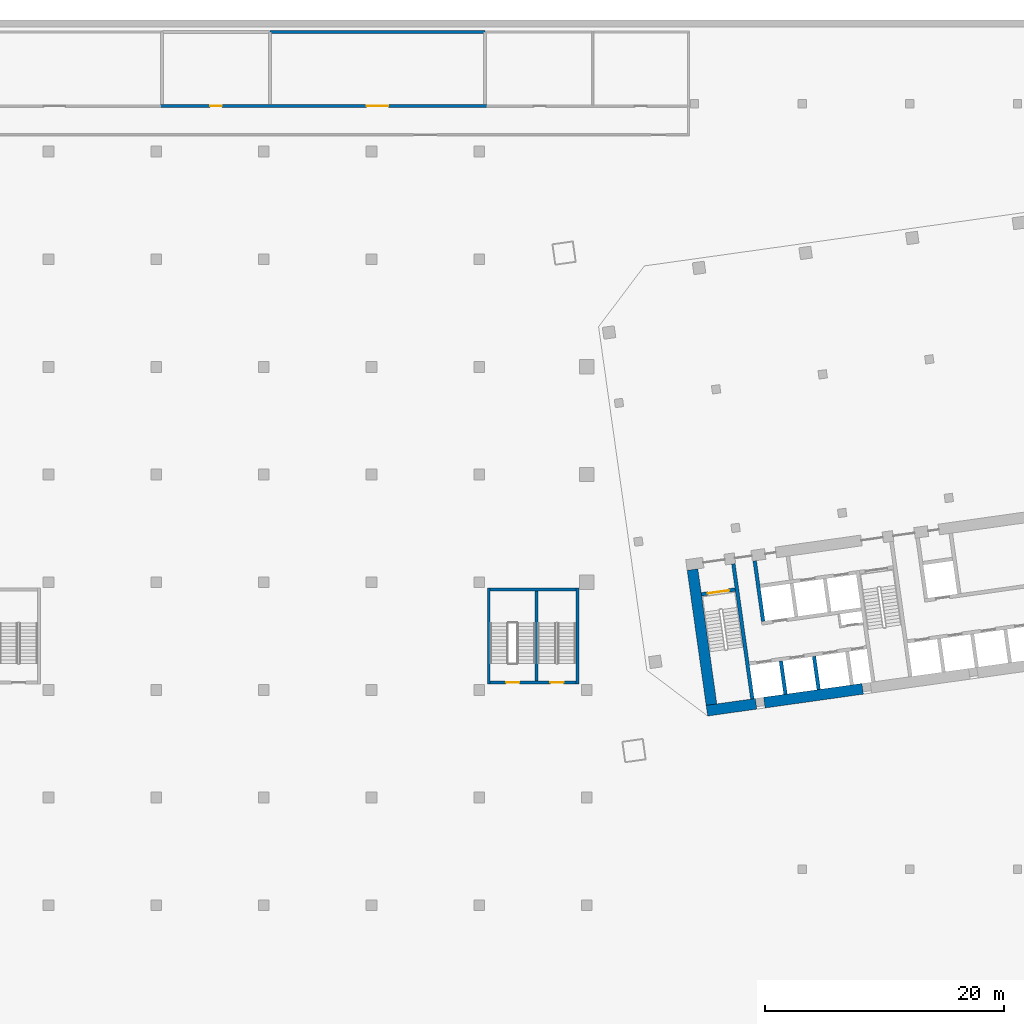
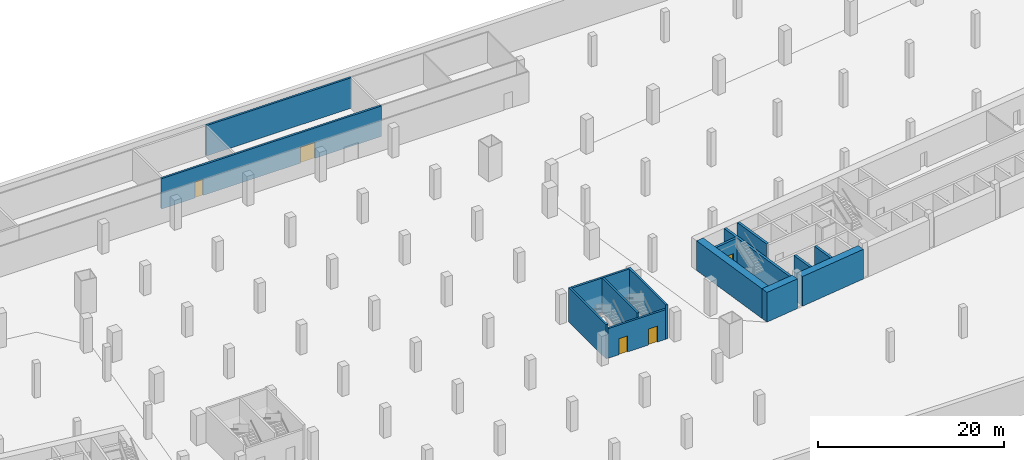
# One storey, part 8 of 17: 15 walls, 5 doors, 5 openings.
"""IFC4 building model written with IfcOpenShell, lengths in metres."""

from ifc_helpers import new_model, si_unit, direction, frame, frame_2d, origin, place, context, subcontext, project, spatial, rectangle, extrude, material, layer, layer_set, type_object, element, fill, save


model = new_model("IFC4")

# Units and contexts
model_context = context("Model", 3, precision=1e-05, world=origin(), true_north=direction((0.0, 1.0)))
body_context = subcontext(model_context, "Body", "Model", "MODEL_VIEW")
ifc_project = project(units=[si_unit("LENGTHUNIT", "METRE"), si_unit("AREAUNIT", "SQUARE_METRE"), si_unit("VOLUMEUNIT", "CUBIC_METRE"), si_unit("PLANEANGLEUNIT", "RADIAN"), si_unit("MASSUNIT", "GRAM", prefix="KILO")], contexts=[model_context])

# Site, building, storey
site_placement = place(None, origin())
site = spatial("IfcSite", under=ifc_project, at=site_placement, CompositionType="ELEMENT")
building_placement = place(site_placement, origin())
building = spatial("IfcBuilding", under=site, at=building_placement, Name="Mirante Cascada Hotel Towers", CompositionType="ELEMENT")
storey_placement = place(building_placement, frame((0.0, 0.0, -4.5)))
storey = spatial("IfcBuildingStorey", under=building, at=storey_placement, Name="B1", CompositionType="ELEMENT", Elevation=-4.5)

# Wall, openings, doors
ifc_material_1 = material(Name="Masonry block", Category="masonry")
ifc_layer_1 = layer(ifc_material_1, 0.25)
ifc_layer_set_1 = layer_set([ifc_layer_1], Name="Basement plant room wall 250 block EI 120")
wall_type_1 = type_object("IfcWallType", Name="Basement plant room wall 250 block EI 120", PredefinedType="PARTITIONING", material=ifc_layer_set_1)
wall_1_placement = place(storey_placement, frame((-8.635, 30.8, 0.0), z_axis=(0.0, 0.0, 1.0), x_axis=(1.0, 0.0, 0.0)))
wall_1 = element("IfcWall", 1, at=wall_1_placement, inside=storey, type_object=wall_type_1, Name="Plant room wall B1", PredefinedType="PARTITIONING", context=body_context, shape_type="SweptSolid", body=[
    extrude(rectangle(XDim=27.27, YDim=0.25, at=frame_2d((13.635, 0.0))), origin(), (0.0, 0.0, 1.0), 4.0),
])
opening_1_placement = place(wall_1_placement, frame((4.135, 0.0, 0.0)))
opening_1 = element("IfcOpeningElement", 2, at=opening_1_placement, cuts=wall_1, Name="Opening DB-1-03", PredefinedType="OPENING", context=body_context, shape_type="SweptSolid", body=[
    extrude(rectangle(XDim=1.0, YDim=2.1, at=frame_2d((0.5, 1.05))), frame((0.0, 0.125, 0.0), z_axis=(0.0, -1.0, 0.0), x_axis=(1.0, 0.0, 0.0)), (0.0, 0.0, 1.0), 0.25),
])
opening_2_placement = place(wall_1_placement, frame((17.235, 0.0, 0.0)))
opening_2 = element("IfcOpeningElement", 3, at=opening_2_placement, cuts=wall_1, Name="Opening DB-1-04", PredefinedType="OPENING", context=body_context, shape_type="SweptSolid", body=[
    extrude(rectangle(XDim=1.8, YDim=2.1, at=frame_2d((0.9, 1.05))), frame((0.0, 0.125, 0.0), z_axis=(0.0, -1.0, 0.0), x_axis=(1.0, 0.0, 0.0)), (0.0, 0.0, 1.0), 0.25),
])
ifc_material_2 = material(Name="Hollow metal fire door leaf")
door_type_1 = type_object("IfcDoorType", Name="Basement double fire door 1800x2100 FD60", OperationType="DOUBLE_DOOR_SINGLE_SWING", PredefinedType="DOOR", material=ifc_material_2)
door_1_placement = place(opening_2_placement, origin())
door_1 = element("IfcDoor", 4, at=door_1_placement, inside=storey, type_object=door_type_1, Name="Door to plant room DB-1-04", OperationType="DOUBLE_DOOR_SINGLE_SWING", OverallHeight=2.1, OverallWidth=1.8, PredefinedType="DOOR", context=body_context, shape_type="SweptSolid", body=[
    extrude(rectangle(XDim=0.895, YDim=2.1, at=frame_2d((0.4475, 1.05))), frame((0.0, 0.025, 0.0), z_axis=(0.0, -1.0, 0.0), x_axis=(1.0, 0.0, 0.0)), (0.0, 0.0, 1.0), 0.05),
    extrude(rectangle(XDim=0.895, YDim=2.1, at=frame_2d((1.3525, 1.05))), frame((0.0, 0.025, 0.0), z_axis=(0.0, -1.0, 0.0), x_axis=(1.0, 0.0, 0.0)), (0.0, 0.0, 1.0), 0.05),
])
fill(opening_2, door_1)
ifc_material_3 = material(Name="Hollow metal fire door leaf")
door_type_2 = type_object("IfcDoorType", Name="Basement fire door 1000x2100 FD60", OperationType="NOTDEFINED", PredefinedType="DOOR", material=ifc_material_3)
door_2_placement = place(opening_1_placement, origin())
door_2 = element("IfcDoor", 5, at=door_2_placement, inside=storey, type_object=door_type_2, Name="Door to parking control room DB-1-03", OperationType="SINGLE_SWING_LEFT", OverallHeight=2.1, OverallWidth=1.0, PredefinedType="DOOR", context=body_context, shape_type="SweptSolid", body=[
    extrude(rectangle(XDim=1.0, YDim=2.1, at=frame_2d((0.5, 1.05))), frame((0.0, 0.025, 0.0), z_axis=(0.0, -1.0, 0.0), x_axis=(1.0, 0.0, 0.0)), (0.0, 0.0, 1.0), 0.05),
])
fill(opening_1, door_2)

# Wall
wall_2_placement = place(storey_placement, frame((0.53, 37.0, 0.0), z_axis=(0.0, 0.0, 1.0), x_axis=(1.0, 0.0, 0.0)))
element("IfcWall", 6, at=wall_2_placement, inside=storey, type_object=wall_type_1, Name="Plant room wall B1", PredefinedType="PARTITIONING", context=body_context, shape_type="SweptSolid", body=[
    extrude(rectangle(XDim=17.94, YDim=0.25, at=frame_2d((8.97, 0.0))), origin(), (0.0, 0.0, 1.0), 4.0),
])

# Wall, openings, doors
ifc_material_4 = material(Name="Concrete C35/45", Category="concrete")
ifc_layer_2 = layer(ifc_material_4, 0.25)
ifc_layer_set_2 = layer_set([ifc_layer_2], Name="Basement stair wall 250 concrete C35/45 EI 120")
wall_type_2 = type_object("IfcWallType", Name="Basement stair wall 250 concrete C35/45 EI 120", PredefinedType="STANDARD", material=ifc_layer_set_2)
wall_3_placement = place(storey_placement, frame((18.925, -17.4, 0.0), z_axis=(0.0, 0.0, 1.0), x_axis=(1.0, 0.0, 0.0)))
wall_3 = element("IfcWall", 7, at=wall_3_placement, inside=storey, type_object=wall_type_2, Name="Stair wall B1", PredefinedType="STANDARD", context=body_context, shape_type="SweptSolid", body=[
    extrude(rectangle(XDim=7.15, YDim=0.25, at=frame_2d((3.575, 0.0))), origin(), (0.0, 0.0, 1.0), 3.9),
])
opening_3_placement = place(wall_3_placement, frame((5.025, 0.0, 0.0)))
opening_3 = element("IfcOpeningElement", 8, at=opening_3_placement, cuts=wall_3, Name="Opening DB-1-12", PredefinedType="OPENING", context=body_context, shape_type="SweptSolid", body=[
    extrude(rectangle(XDim=1.1, YDim=2.1, at=frame_2d((0.55, 1.05))), frame((0.0, 0.125, 0.0), z_axis=(0.0, -1.0, 0.0), x_axis=(1.0, 0.0, 0.0)), (0.0, 0.0, 1.0), 0.25),
])
opening_4_placement = place(wall_3_placement, frame((1.325, 0.0, 0.0)))
opening_4 = element("IfcOpeningElement", 9, at=opening_4_placement, cuts=wall_3, Name="Opening DB-1-13", PredefinedType="OPENING", context=body_context, shape_type="SweptSolid", body=[
    extrude(rectangle(XDim=1.1, YDim=2.1, at=frame_2d((0.55, 1.05))), frame((0.0, 0.125, 0.0), z_axis=(0.0, -1.0, 0.0), x_axis=(1.0, 0.0, 0.0)), (0.0, 0.0, 1.0), 0.25),
])
ifc_material_5 = material(Name="Hollow metal fire door leaf")
door_type_3 = type_object("IfcDoorType", Name="Basement fire door 1100x2100 FD60", OperationType="NOTDEFINED", PredefinedType="DOOR", material=ifc_material_5)
door_3_placement = place(opening_3_placement, origin())
door_3 = element("IfcDoor", 10, at=door_3_placement, inside=storey, type_object=door_type_3, Name="Door to exit stair 4 DB-1-12", OperationType="SINGLE_SWING_RIGHT", OverallHeight=2.1, OverallWidth=1.1, PredefinedType="DOOR", context=body_context, shape_type="SweptSolid", body=[
    extrude(rectangle(XDim=1.1, YDim=2.1, at=frame_2d((0.55, 1.05))), frame((0.0, 0.025, 0.0), z_axis=(0.0, -1.0, 0.0), x_axis=(1.0, 0.0, 0.0)), (0.0, 0.0, 1.0), 0.05),
])
fill(opening_3, door_3)
door_4_placement = place(opening_4_placement, origin())
door_4 = element("IfcDoor", 11, at=door_4_placement, inside=storey, type_object=door_type_3, Name="Door to exit stair 6 DB-1-13", OperationType="SINGLE_SWING_LEFT", OverallHeight=2.1, OverallWidth=1.1, PredefinedType="DOOR", context=body_context, shape_type="SweptSolid", body=[
    extrude(rectangle(XDim=1.1, YDim=2.1, at=frame_2d((0.55, 1.05))), frame((0.0, 0.025, 0.0), z_axis=(0.0, -1.0, 0.0), x_axis=(1.0, 0.0, 0.0)), (0.0, 0.0, 1.0), 0.05),
])
fill(opening_4, door_4)

# Walls
wall_4_placement = place(storey_placement, frame((18.925, -9.6, 0.0), z_axis=(0.0, 0.0, 1.0), x_axis=(1.0, 0.0, 0.0)))
element("IfcWall", 12, at=wall_4_placement, inside=storey, type_object=wall_type_2, Name="Stair wall B1", PredefinedType="STANDARD", context=body_context, shape_type="SweptSolid", body=[
    extrude(rectangle(XDim=7.15, YDim=0.25, at=frame_2d((3.575, 0.0))), origin(), (0.0, 0.0, 1.0), 4.5),
])
for number, where, z_axis, x_axis, name in (
    (13, (26.2, -17.525, 0.0), (0.0, 0.0, 1.0), (0.0, 1.0, 0.0), "Stair wall B1"),
    (14, (18.8, -17.525, 0.0), (0.0, 0.0, 1.0), (0.0, 1.0, 0.0), "Stair wall B1"),
):
    element("IfcWall", number, at=place(storey_placement, frame(where, z_axis=z_axis, x_axis=x_axis)), inside=storey, type_object=wall_type_2, Name=name, PredefinedType="STANDARD", context=body_context, shape_type="SweptSolid", body=[
        extrude(rectangle(XDim=8.05, YDim=0.25, at=frame_2d((4.025, 0.0))), origin(), (0.0, 0.0, 1.0), 4.5),
    ])
ifc_material_6 = material(Name="Concrete C50/60", Category="concrete")
ifc_layer_3 = layer(ifc_material_6, 0.3)
ifc_layer_set_3 = layer_set([ifc_layer_3], Name="RC core wall 300 C50/60")
wall_type_3 = type_object("IfcWallType", Name="RC core wall 300 C50/60", PredefinedType="SHEAR", material=ifc_layer_set_3)
wall_5_placement = place(storey_placement, frame((40.8373, -18.7548, 0.0), z_axis=(0.0, 0.0, 1.0), x_axis=(-0.1391749, 0.9902678, 0.0)))
element("IfcWall", 15, at=wall_5_placement, inside=storey, type_object=wall_type_3, Name="Core wall T2:B1:5", PredefinedType="SHEAR", context=body_context, shape_type="SweptSolid", body=[
    extrude(rectangle(XDim=11.4, YDim=0.3, at=frame_2d((5.7, 0.0))), origin(), (0.0, 0.0, 1.0), 3.9),
])

# Wall, opening, door
wall_6_placement = place(storey_placement, frame((36.5791, -10.0123, 0.0), z_axis=(0.0, 0.0, 1.0), x_axis=(0.9902704, 0.1391564, 0.0)))
wall_6 = element("IfcWall", 16, at=wall_6_placement, inside=storey, type_object=wall_type_3, Name="Core wall T2:B1:9", PredefinedType="SHEAR", context=body_context, shape_type="SweptSolid", body=[
    extrude(rectangle(XDim=2.85, YDim=0.3, at=frame_2d((1.425, 0.0))), origin(), (0.0, 0.0, 1.0), 3.9),
])
opening_5_placement = place(wall_6_placement, frame((0.525, 0.0, 0.0)))
opening_5 = element("IfcOpeningElement", 17, at=opening_5_placement, cuts=wall_6, Name="Opening D2-B1-C16", PredefinedType="OPENING", context=body_context, shape_type="SweptSolid", body=[
    extrude(rectangle(XDim=1.8, YDim=2.1, at=frame_2d((0.9, 1.05))), frame((0.0, 0.15, 0.0), z_axis=(0.0, -1.0, 0.0), x_axis=(1.0, 0.0, 0.0)), (0.0, 0.0, 1.0), 0.3),
])
ifc_material_7 = material(Name="Hollow metal fire door leaf")
door_type_4 = type_object("IfcDoorType", Name="Double fire door 1800x2100 FD60", OperationType="DOUBLE_DOOR_SINGLE_SWING", PredefinedType="DOOR", material=ifc_material_7)
door_5_placement = place(opening_5_placement, frame((1.8, 0.0, 0.0), z_axis=(0.0, 0.0, 1.0), x_axis=(-1.0, 0.0, 0.0)))
door_5 = element("IfcDoor", 18, at=door_5_placement, inside=storey, type_object=door_type_4, Name="Stair door T2 B1 16", OperationType="DOUBLE_DOOR_SINGLE_SWING", OverallHeight=2.1, OverallWidth=1.8, PredefinedType="DOOR", context=body_context, shape_type="SweptSolid", body=[
    extrude(rectangle(XDim=0.895, YDim=2.1, at=frame_2d((0.4475, 1.05))), frame((0.0, 0.025, 0.0), z_axis=(0.0, -1.0, 0.0), x_axis=(1.0, 0.0, 0.0)), (0.0, 0.0, 1.0), 0.05),
    extrude(rectangle(XDim=0.895, YDim=2.1, at=frame_2d((1.3525, 1.05))), frame((0.0, 0.025, 0.0), z_axis=(0.0, -1.0, 0.0), x_axis=(1.0, 0.0, 0.0)), (0.0, 0.0, 1.0), 0.05),
])
fill(opening_5, door_5)

# Walls
wall_7_placement = place(storey_placement, frame((43.61, -18.3651, 0.0), z_axis=(0.0, 0.0, 1.0), x_axis=(-0.1391459, 0.9902719, 0.0)))
element("IfcWall", 19, at=wall_7_placement, inside=storey, type_object=wall_type_3, Name="Core wall T2:B1:15", PredefinedType="SHEAR", context=body_context, shape_type="SweptSolid", body=[
    extrude(rectangle(XDim=2.7999, YDim=0.3, at=frame_2d((1.4, 0.0))), origin(), (0.0, 0.0, 1.0), 3.9),
])
wall_8_placement = place(storey_placement, frame((46.3828, -17.9754, 0.0), z_axis=(0.0, 0.0, 1.0), x_axis=(-0.139181, 0.990267, 0.0)))
element("IfcWall", 20, at=wall_8_placement, inside=storey, type_object=wall_type_3, Name="Core wall T2:B1:16", PredefinedType="SHEAR", context=body_context, shape_type="SweptSolid", body=[
    extrude(rectangle(XDim=2.8, YDim=0.3, at=frame_2d((1.4, 0.0))), origin(), (0.0, 0.0, 1.0), 3.9),
])
wall_9_placement = place(storey_placement, frame((41.743, -12.2656, 0.0), z_axis=(0.0, 0.0, 1.0), x_axis=(-0.1391755, 0.9902677, 0.0)))
element("IfcWall", 21, at=wall_9_placement, inside=storey, type_object=wall_type_3, Name="Core wall T2:B1:20", PredefinedType="SHEAR", context=body_context, shape_type="SweptSolid", body=[
    extrude(rectangle(XDim=5.1, YDim=0.3, at=frame_2d((2.55, 0.0))), origin(), (0.0, 0.0, 1.0), 3.9),
])
ifc_material_8 = material(Name="Concrete C50/60", Category="concrete")
ifc_layer_4 = layer(ifc_material_8, 0.9)
ifc_layer_set_4 = layer_set([ifc_layer_4], Name="RC core wall 900 C50/60")
wall_type_4 = type_object("IfcWallType", Name="RC core wall 900 C50/60", PredefinedType="SHEAR", material=ifc_layer_set_4)
wall_10_placement = place(storey_placement, frame((37.0379, -19.7432, 0.0), z_axis=(0.0, 0.0, 1.0), x_axis=(0.990267, 0.139181, 0.0)))
element("IfcWall", 22, at=wall_10_placement, inside=storey, type_object=wall_type_4, Name="Core wall T2:B1:1.1", PredefinedType="SHEAR", context=body_context, shape_type="SweptSolid", body=[
    extrude(rectangle(XDim=4.15, YDim=0.9, at=frame_2d((2.075, 0.0))), origin(), (0.0, 0.0, 1.0), 3.9),
])
wall_11_placement = place(storey_placement, frame((41.8407, -19.0682, 0.0), z_axis=(0.0, 0.0, 1.0), x_axis=(0.9902686, 0.1391692, 0.0)))
element("IfcWall", 23, at=wall_11_placement, inside=storey, type_object=wall_type_4, Name="Core wall T2:B1:1.2", PredefinedType="SHEAR", context=body_context, shape_type="SweptSolid", body=[
    extrude(rectangle(XDim=8.3, YDim=0.9, at=frame_2d((4.15, 0.0))), origin(), (0.0, 0.0, 1.0), 3.9),
])
wall_12_placement = place(storey_placement, frame((37.4209, -19.2349, 0.0), z_axis=(0.0, 0.0, 1.0), x_axis=(-0.1391761, 0.9902677, 0.0)))
element("IfcWall", 24, at=wall_12_placement, inside=storey, type_object=wall_type_4, Name="Core wall T2:B1:3", PredefinedType="SHEAR", context=body_context, shape_type="SweptSolid", body=[
    extrude(rectangle(XDim=11.3999, YDim=0.9, at=frame_2d((5.7, 0.0))), origin(), (0.0, 0.0, 1.0), 3.9),
])
ifc_material_9 = material(Name="Concrete C35/45", Category="concrete")
ifc_layer_5 = layer(ifc_material_9, 0.25)
ifc_layer_set_5 = layer_set([ifc_layer_5], Name="Stair wall 250 concrete C35/45 EI 120")
wall_type_5 = type_object("IfcWallType", Name="Stair wall 250 concrete C35/45 EI 120", PredefinedType="STANDARD", material=ifc_layer_set_5)
wall_13_placement = place(storey_placement, frame((22.8, -17.275, 0.0), z_axis=(0.0, 0.0, 1.0), x_axis=(0.0, 1.0, 0.0)))
element("IfcWall", 25, at=wall_13_placement, inside=storey, type_object=wall_type_5, Name="Stair wall P B1", PredefinedType="STANDARD", context=body_context, shape_type="SweptSolid", body=[
    extrude(rectangle(XDim=7.55, YDim=0.25, at=frame_2d((3.775, 0.0))), origin(), (0.0, 0.0, 1.0), 4.5),
])

save(model, "model.ifc")
